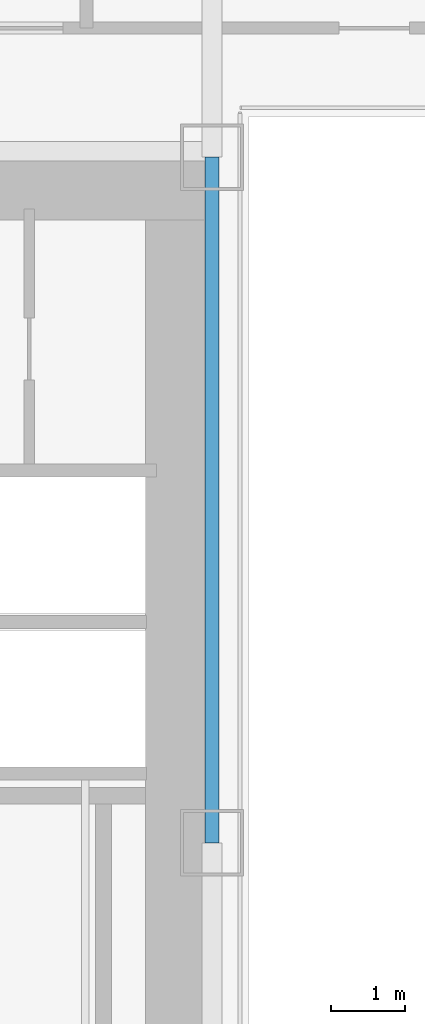
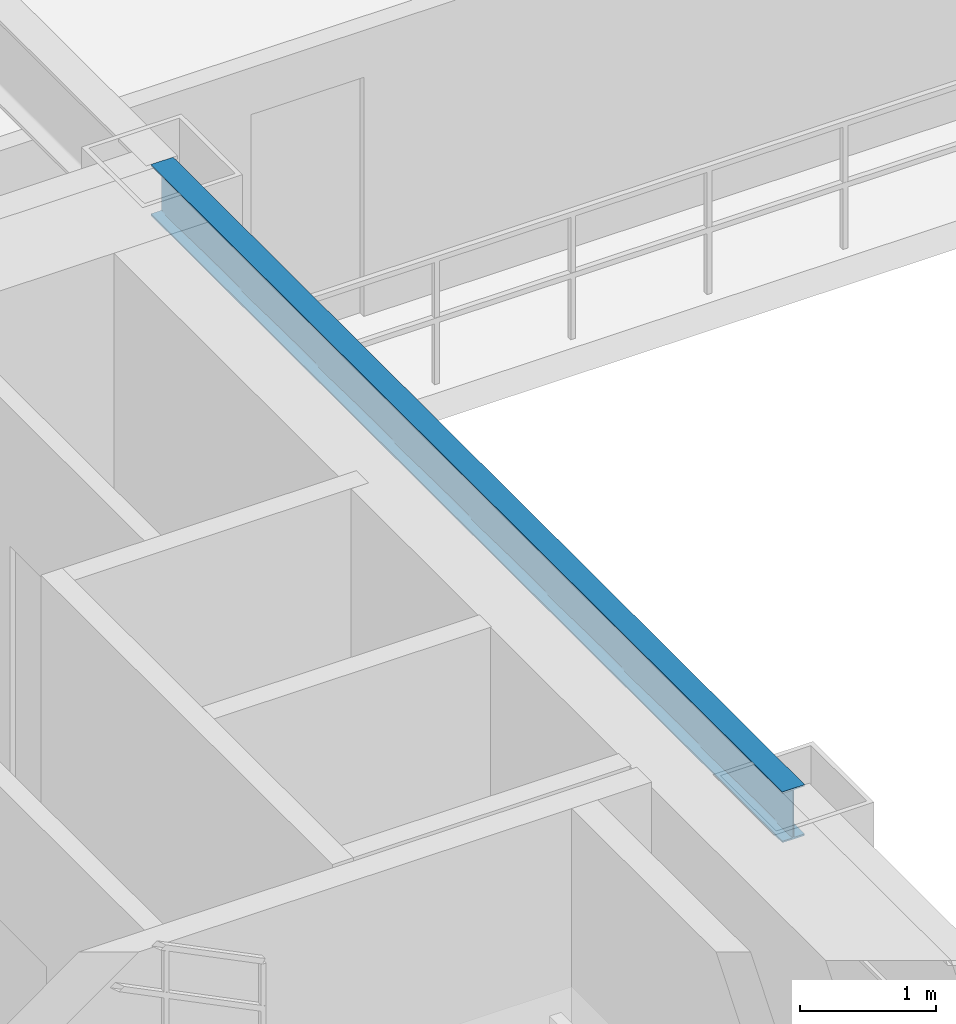
# One storey, part 9 of 38: 1 beam.
"""IFC4 building model written with IfcOpenShell, lengths in metres."""

from ifc_helpers import new_model, si_unit, direction, frame, origin, origin_2d, place, context, subcontext, project, spatial, i_section, extrude, source, transform, mapped, material, material_profile, profile_set, type_object, element, save


model = new_model("IFC4")

# Units and contexts
model_context = context("Model", 3, precision=1e-05, world=origin(), true_north=direction((0.0, 1.0)))
body_context = subcontext(model_context, "Body", "Model", "MODEL_VIEW")
ifc_project = project(units=[si_unit("LENGTHUNIT", "METRE"), si_unit("AREAUNIT", "SQUARE_METRE"), si_unit("VOLUMEUNIT", "CUBIC_METRE"), si_unit("PLANEANGLEUNIT", "RADIAN"), si_unit("MASSUNIT", "GRAM", prefix="KILO")], contexts=[model_context])

# Site, building, storey
site_placement = place(None, origin())
site = spatial("IfcSite", under=ifc_project, at=site_placement, CompositionType="ELEMENT")
building_placement = place(site_placement, origin())
building = spatial("IfcBuilding", under=site, at=building_placement, Name="Ocotamira Hotel", CompositionType="ELEMENT")
storey_placement = place(building_placement, frame((0.0, 0.0, 60.0)))
storey = spatial("IfcBuildingStorey", under=building, at=storey_placement, Name="L14", CompositionType="ELEMENT", Elevation=60.0)

# Beam
ifc_material = material(Name="Steel ASTM A992 Grade 50", Category="steel")
ifc_material_profile = material_profile(ifc_material, i_section(OverallWidth=0.18994140625, OverallDepth=0.45703125, WebThickness=0.009033203125, FlangeThickness=0.014404296875, FilletRadius=0.010009765625, at=origin_2d()), Name="W18X50")
ifc_profile_set = profile_set([ifc_material_profile], Name="Steel ASTM A992 Grade 50")
beam_type = type_object("IfcBeamType", Name="BM-SEC-W18X50", PredefinedType="JOIST", material=ifc_profile_set)
shared_shape = source(origin(), body_context, "Body", "SweptSolid", [
    extrude(i_section(OverallWidth=0.18994140625, OverallDepth=0.45703125, WebThickness=0.009033203125, FlangeThickness=0.014404296875, FilletRadius=0.010009765625, at=origin_2d()), origin(), (0.0, 0.0, 1.0), 9.300048828125),
])
beam_placement = place(storey_placement, frame((23.5, 28.14990234375, 3.12158203125), z_axis=(0.0, 1.0, 0.0), x_axis=(-1.0, 0.0, 0.0)))
element("IfcBeam", 1, at=beam_placement, inside=storey, type_object=beam_type, Name="L14 Beam X23.5 Y28.15-37.45", PredefinedType="JOIST", context=body_context, shape_type="MappedRepresentation", body=[
    mapped(shared_shape, transform((0.0, 0.0, 0.0), scale=1.0)),
])

save(model, "model.ifc")
